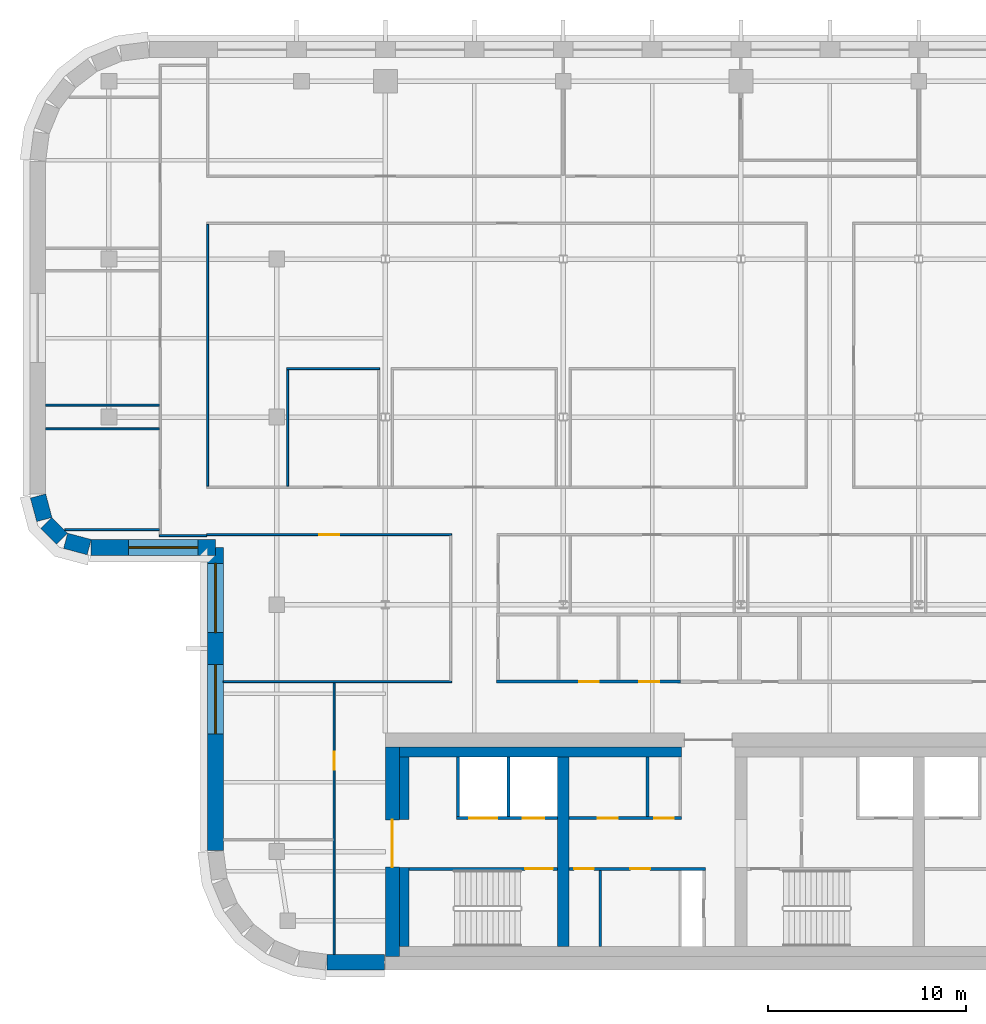
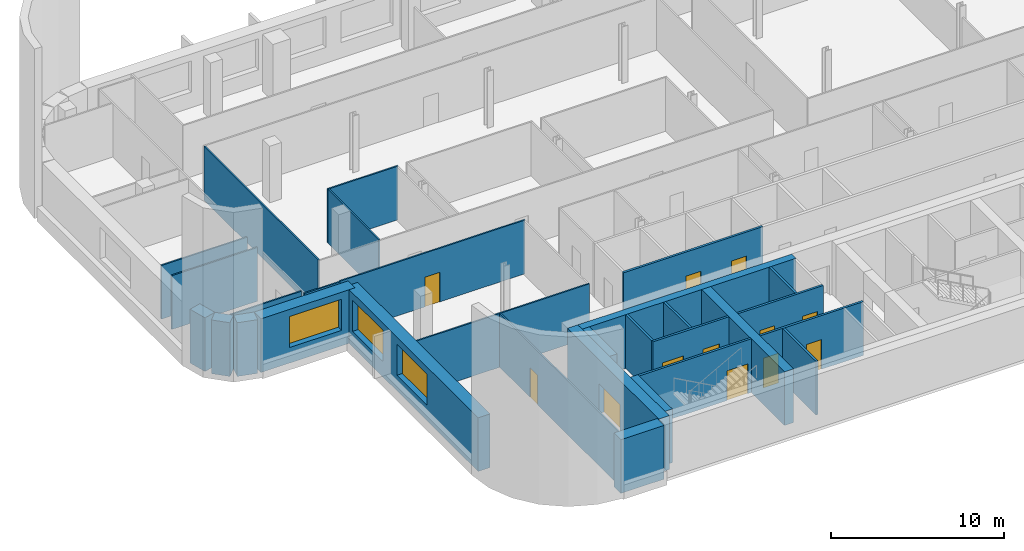
# One storey, part 7 of 17: 30 walls, 12 doors, 3 windows, 15 openings.
"""IFC4 building model written with IfcOpenShell, lengths in metres."""

import ifcopenshell
import ifcopenshell.guid

model = None  # the IFC model being written
_history = None  # IfcOwnerHistory: only IFC2X3 demands one
_inside = {}  # id of a spatial element -> (the spatial element, [elements in it])
_under = {}  # id of a project, library or spatial element -> (it, [spatial elements below it])
_declared = {}  # id of a project -> (the project, [libraries it declares])
_typed = {}  # id of a type object -> (the type object, [elements of that type])
_made_of = {}  # id of a material, layer set ... -> (it, [elements and type objects made of it])


def new_model(schema):
    """Start an empty IFC model of exactly this schema.

    Asked for "IFC4X3", IfcOpenShell would pick the latest addendum, in which some entities
    have other attributes; the version numbers below select the first issue.
    IFC2X3 requires an IfcOwnerHistory on every rooted entity: one is made here for all.
    """
    global model, _history
    if schema == "IFC4X3":
        model = ifcopenshell.file(schema_version=(4, 3, 0, 0))
    else:
        model = ifcopenshell.file(schema=schema)
    _inside.clear()
    _under.clear()
    _declared.clear()
    _typed.clear()
    _made_of.clear()
    _history = None
    if model.schema == "IFC2X3":
        org = make("IfcOrganization", Name="unknown")
        user = make(
            "IfcPersonAndOrganization",
            ThePerson=make("IfcPerson", FamilyName="unknown"),
            TheOrganization=org,
        )
        app = make(
            "IfcApplication",
            ApplicationDeveloper=org,
            Version="unknown",
            ApplicationFullName="unknown",
            ApplicationIdentifier="unknown",
        )
        _history = make(
            "IfcOwnerHistory",
            OwningUser=user,
            OwningApplication=app,
            ChangeAction="ADDED",
            CreationDate=0,
        )
    return model


def make(cls, **values):
    """One entity of the class cls with the attributes given. An attribute that is None is left unset."""
    return model.create_entity(
        cls, **{name: value for name, value in values.items() if value is not None}
    )


def rooted(cls, **values):
    """An entity with a GlobalId (a new one), such as an element, a storey or a relation."""
    return make(cls, GlobalId=ifcopenshell.guid.new(), OwnerHistory=_history, **values)


def si_unit(unit_type, name, prefix=None):
    """IfcSIUnit, for example si_unit("LENGTHUNIT", "METRE", prefix="MILLI")."""
    return make("IfcSIUnit", UnitType=unit_type, Prefix=prefix, Name=name)


def assignment(units):
    """IfcUnitAssignment: the units of a project."""
    return None if units is None else make("IfcUnitAssignment", Units=units)


def point(xyz):
    """IfcCartesianPoint."""
    return None if xyz is None else make("IfcCartesianPoint", Coordinates=xyz)


def direction(xyz):
    """IfcDirection."""
    return None if xyz is None else make("IfcDirection", DirectionRatios=xyz)


def frame(location, z_axis=None, x_axis=None):
    """IfcAxis2Placement3D, a coordinate frame: its origin and axes. An axis left out is left unset."""
    return make(
        "IfcAxis2Placement3D",
        Location=point(location),
        Axis=direction(z_axis),
        RefDirection=direction(x_axis),
    )


def frame_2d(location, x_axis=None):
    """IfcAxis2Placement2D, a coordinate frame in the plane: its origin and x axis."""
    return make(
        "IfcAxis2Placement2D", Location=point(location), RefDirection=direction(x_axis)
    )


def origin():
    """The frame at (0, 0, 0) with its axes left unset."""
    return frame((0.0, 0.0, 0.0))


def place(relative_to, where):
    """IfcLocalPlacement: puts the frame where relative to a parent placement (None: the world)."""
    return make(
        "IfcLocalPlacement", PlacementRelTo=relative_to, RelativePlacement=where
    )


def context(
    kind, dimensions, precision=None, world=None, true_north=None, identifier=None
):
    """IfcGeometricRepresentationContext, for example the 3D "Model" context."""
    return make(
        "IfcGeometricRepresentationContext",
        ContextIdentifier=identifier,
        ContextType=kind,
        CoordinateSpaceDimension=dimensions,
        Precision=precision,
        WorldCoordinateSystem=world,
        TrueNorth=true_north,
    )


def subcontext(parent, identifier, kind, view, scale=None):
    """IfcGeometricRepresentationSubContext, for example "Body" below "Model"."""
    return make(
        "IfcGeometricRepresentationSubContext",
        ContextIdentifier=identifier,
        ContextType=kind,
        ParentContext=parent,
        TargetScale=scale,
        TargetView=view,
    )


def project(units=None, contexts=None):
    """IfcProject with its units and contexts."""
    return rooted(
        "IfcProject",
        Name="project",
        RepresentationContexts=contexts,
        UnitsInContext=assignment(units),
    )


def spatial(cls, under=None, at=None, **own):
    """A site, building, storey or space (cls), placed at a placement, below another one or the project."""
    s = rooted(cls, ObjectPlacement=at, **own)
    if under is not None:
        _under.setdefault(under.id(), (under, []))[1].append(s)
    return s


def profile(cls, at=None, kind="AREA", **sizes):
    """A parametric profile (cls). Its sizes go by their IFC names, for example OverallWidth=200.0."""
    return make(cls, ProfileType=kind, Position=at, **sizes)


def rectangle(**sizes):
    """IfcRectangleProfileDef."""
    return profile("IfcRectangleProfileDef", **sizes)


def extrude(swept, where, along, depth):
    """IfcExtrudedAreaSolid: the profile swept, set in the frame where, extruded along a direction by depth."""
    return make(
        "IfcExtrudedAreaSolid",
        SweptArea=swept,
        Position=where,
        ExtrudedDirection=direction(along),
        Depth=depth,
    )


def shape(context_of_items, identifier, shape_type, items):
    """IfcShapeRepresentation: the items that make up one representation, for example the "Body"."""
    return make(
        "IfcShapeRepresentation",
        ContextOfItems=context_of_items,
        RepresentationIdentifier=identifier,
        RepresentationType=shape_type,
        Items=items,
    )


def material(Name=None, Category=None):
    """IfcMaterial."""
    return make("IfcMaterial", Name=Name, Category=Category)


def layer(
    of_material, thickness, ventilated=None, Name=None, Category=None, Priority=None
):
    """IfcMaterialLayer: one layer of a wall or slab, of a material (None: an air gap)."""
    return make(
        "IfcMaterialLayer",
        Material=of_material,
        LayerThickness=thickness,
        IsVentilated=ventilated,
        Name=Name,
        Category=Category,
        Priority=Priority,
    )


def layer_set(layers, Name=None):
    """IfcMaterialLayerSet."""
    return make("IfcMaterialLayerSet", MaterialLayers=layers, LayerSetName=Name)


def made_of(thing, what):
    """Note that an element or type object is made of a material, layer set ...; save() writes the relation."""
    if what is not None:
        _made_of.setdefault(what.id(), (what, []))[1].append(thing)
    return thing


def type_object(cls, material=None, **own):
    """A type object (cls), such as IfcWallType, which elements share."""
    return made_of(rooted(cls, **own), material)


def element(
    cls,
    number,
    at=None,
    inside=None,
    cuts=None,
    type_object=None,
    material=None,
    context=None,
    identifier="Body",
    shape_type=None,
    held_by="IfcProductDefinitionShape",
    body=None,
    shapes=None,
    **own,
):
    """One element of the class cls, such as IfcWall. Its Tag is "e" and its number.

    at: its placement. inside: the storey or other place that contains it. cuts: it is an
    opening in that element (IfcRelVoidsElement). A single representation is given by context,
    identifier, shape_type and body (its items); several are given by shapes. held_by: the class
    of the entity that holds the representations. save() writes the other relations.
    """
    e = rooted(cls, Tag="e%d" % number, ObjectPlacement=at, **own)
    if body is not None:
        shapes = [shape(context, identifier, shape_type, body)]
    if shapes is not None:
        e.Representation = make(held_by, Representations=shapes)
    if inside is not None:
        _inside.setdefault(inside.id(), (inside, []))[1].append(e)
    if cuts is not None:
        rooted(
            "IfcRelVoidsElement", RelatingBuildingElement=cuts, RelatedOpeningElement=e
        )
    if type_object is not None:
        _typed.setdefault(type_object.id(), (type_object, []))[1].append(e)
    return made_of(e, material)


def fill(opening, filler):
    """IfcRelFillsElement: the door or window that sits in an opening."""
    return rooted(
        "IfcRelFillsElement",
        RelatingOpeningElement=opening,
        RelatedBuildingElement=filler,
    )


def aggregate(whole, parts):
    """IfcRelAggregates: a whole, such as a stair, and the parts it consists of."""
    return rooted("IfcRelAggregates", RelatingObject=whole, RelatedObjects=parts)


def save(model, path):
    """Write the relations noted so far, then the file.

    IfcRelAggregates (storeys below a building ...), IfcRelContainedInSpatialStructure (elements
    in a storey), IfcRelDefinesByType, IfcRelAssociatesMaterial and IfcRelDeclares: one each for
    every whole, place, type object, material and project.
    """
    for whole, parts in _under.values():
        aggregate(whole, parts)
    for where, things in _inside.values():
        rooted(
            "IfcRelContainedInSpatialStructure",
            RelatedElements=things,
            RelatingStructure=where,
        )
    for kind, things in _typed.values():
        rooted("IfcRelDefinesByType", RelatedObjects=things, RelatingType=kind)
    for what, things in _made_of.values():
        rooted("IfcRelAssociatesMaterial", RelatedObjects=things, RelatingMaterial=what)
    for by, libraries in _declared.values():
        rooted("IfcRelDeclares", RelatingContext=by, RelatedDefinitions=libraries)
    model.write(path)


model = new_model("IFC4")

# Units and contexts
model_context = context("Model", 3, precision=1e-05, world=origin(), true_north=direction((0.0, 1.0)))
body_context = subcontext(model_context, "Body", "Model", "MODEL_VIEW")
ifc_project = project(units=[si_unit("LENGTHUNIT", "METRE"), si_unit("AREAUNIT", "SQUARE_METRE"), si_unit("VOLUMEUNIT", "CUBIC_METRE"), si_unit("PLANEANGLEUNIT", "RADIAN"), si_unit("MASSUNIT", "GRAM", prefix="KILO")], contexts=[model_context])

# Site, building, storey
site_placement = place(None, origin())
site = spatial("IfcSite", under=ifc_project, at=site_placement, CompositionType="ELEMENT")
building_placement = place(site_placement, origin())
building = spatial("IfcBuilding", under=site, at=building_placement, Name="Zellij Exchange Tower", CompositionType="ELEMENT")
storey_placement = place(building_placement, frame((0.0, 0.0, 232.5)))
storey = spatial("IfcBuildingStorey", under=building, at=storey_placement, Name="L54", CompositionType="ELEMENT", Elevation=232.5)

# Walls
ifc_material_1 = material(Name="Concrete C50/60", Category="concrete")
ifc_layer_1 = layer(ifc_material_1, 0.60009765625)
ifc_layer_set_1 = layer_set([ifc_layer_1], Name="Concrete C50/60")
wall_type_1 = type_object("IfcWallType", Name="CORE-CW 600 C50/60", PredefinedType="SHEAR", material=ifc_layer_set_1)
wall_1_placement = place(storey_placement, frame((-18.0, -12.800048828125, 0.0), z_axis=(0.0, 0.0, 1.0), x_axis=(0.0, 1.0, 0.0)))
element("IfcWall", 1, at=wall_1_placement, inside=storey, type_object=wall_type_1, Name="Core cross wall x -18 L54", PredefinedType="SHEAR", context=body_context, shape_type="SweptSolid", body=[
    extrude(rectangle(XDim=9.60009765625, YDim=0.60009765625, at=frame_2d((4.800048828125, 0.0))), origin(), (0.0, 0.0, 1.0), 3.800048828125),
])
ifc_material_2 = material(Name="Concrete C30/37", Category="concrete")
ifc_layer_2 = layer(ifc_material_2, 0.5)
ifc_layer_set_2 = layer_set([ifc_layer_2], Name="Concrete C30/37")
wall_type_2 = type_object("IfcWallType", Name="CORE-LW 500 C30/37", PredefinedType="SHEAR", material=ifc_layer_set_2)
wall_2_placement = place(storey_placement, frame((-26.300048828125, -2.949951171875, 0.0), z_axis=(0.0, 0.0, 1.0), x_axis=(1.0, 0.0, 0.0)))
element("IfcWall", 2, at=wall_2_placement, inside=storey, type_object=wall_type_2, Name="Core wall lining front.0 L54", PredefinedType="SHEAR", context=body_context, shape_type="SweptSolid", body=[
    extrude(rectangle(XDim=14.300048828125, YDim=0.5, at=frame_2d((7.14990234375, 0.0))), origin(), (0.0, 0.0, 1.0), 3.800048828125),
])
wall_3_placement = place(storey_placement, frame((-26.050048828125, -12.800048828125, 0.0), z_axis=(0.0, 0.0, 1.0), x_axis=(0.0, 1.0, 0.0)))
element("IfcWall", 3, at=wall_3_placement, inside=storey, type_object=wall_type_2, Name="Core wall lining end w.0 L54", PredefinedType="SHEAR", context=body_context, shape_type="SweptSolid", body=[
    extrude(rectangle(XDim=4.0, YDim=0.5, at=frame_2d((2.0, 0.0))), origin(), (0.0, 0.0, 1.0), 3.800048828125),
])
wall_4_placement = place(storey_placement, frame((-26.050048828125, -6.375, 0.0), z_axis=(0.0, 0.0, 1.0), x_axis=(0.0, 1.0, 0.0)))
element("IfcWall", 4, at=wall_4_placement, inside=storey, type_object=wall_type_2, Name="Core wall lining end w.1 L54", PredefinedType="SHEAR", context=body_context, shape_type="SweptSolid", body=[
    extrude(rectangle(XDim=3.175048828125, YDim=0.5, at=frame_2d((1.58740234375, 0.0))), origin(), (0.0, 0.0, 1.0), 3.800048828125),
])
ifc_material_3 = material(Name="Gypsum board partition")
ifc_layer_3 = layer(ifc_material_3, 0.14990234375)
ifc_layer_set_3 = layer_set([ifc_layer_3], Name="Gypsum board partition")
wall_type_3 = type_object("IfcWallType", Name="CORE-PW 150 Lift lobby wall", PredefinedType="PARTITIONING", material=ifc_layer_set_3)
wall_5_placement = place(storey_placement, frame((-13.72509765625, -6.22509765625, 0.0), z_axis=(0.0, 0.0, 1.0), x_axis=(0.0, 1.0, 0.0)))
element("IfcWall", 5, at=wall_5_placement, inside=storey, type_object=wall_type_3, Name="Lift lobby wall L54", PredefinedType="PARTITIONING", context=body_context, shape_type="SweptSolid", body=[
    extrude(rectangle(XDim=3.025146484375, YDim=0.14990234375, at=frame_2d((1.5126953125, 0.0))), origin(), (0.0, 0.0, 1.0), 3.800048828125),
])
wall_6_placement = place(storey_placement, frame((-16.125, -12.800048828125, 0.0), z_axis=(0.0, 0.0, 1.0), x_axis=(0.0, 1.0, 0.0)))
element("IfcWall", 6, at=wall_6_placement, inside=storey, type_object=wall_type_3, Name="Lift lobby wall L54", PredefinedType="PARTITIONING", context=body_context, shape_type="SweptSolid", body=[
    extrude(rectangle(XDim=3.85009765625, YDim=0.14990234375, at=frame_2d((1.925048828125, 0.0))), origin(), (0.0, 0.0, 1.0), 3.800048828125),
])

# Wall, openings, doors
wall_7_placement = place(storey_placement, frame((-17.699951171875, -6.300048828125, 0.0), z_axis=(0.0, 0.0, 1.0), x_axis=(1.0, 0.0, 0.0)))
wall_7 = element("IfcWall", 7, at=wall_7_placement, inside=storey, type_object=wall_type_3, Name="Lift lobby wall L54", PredefinedType="PARTITIONING", context=body_context, shape_type="SweptSolid", body=[
    extrude(rectangle(XDim=5.699951171875, YDim=0.14990234375, at=frame_2d((2.85009765625, 0.0))), origin(), (0.0, 0.0, 1.0), 3.800048828125),
])
opening_1_placement = place(wall_7_placement, frame((1.449951171875, 0.0, 0.0)))
opening_1 = element("IfcOpeningElement", 8, at=opening_1_placement, cuts=wall_7, Name="Opening CA-29.06", PredefinedType="OPENING", context=body_context, shape_type="SweptSolid", body=[
    extrude(rectangle(XDim=1.0, YDim=2.10009765625, at=frame_2d((0.5, 1.050048828125))), frame((0.0, 0.0869140625, 0.0), z_axis=(0.0, -1.0, 0.0), x_axis=(1.0, 0.0, 0.0)), (0.0, 0.0, 1.0), 0.173828125),
])
opening_2_placement = place(wall_7_placement, frame((4.300048828125, 0.0, 0.0)))
opening_2 = element("IfcOpeningElement", 9, at=opening_2_placement, cuts=wall_7, Name="Opening CA-29.08", PredefinedType="OPENING", context=body_context, shape_type="SweptSolid", body=[
    extrude(rectangle(XDim=1.0, YDim=2.10009765625, at=frame_2d((0.5, 1.050048828125))), frame((0.0, 0.0869140625, 0.0), z_axis=(0.0, -1.0, 0.0), x_axis=(1.0, 0.0, 0.0)), (0.0, 0.0, 1.0), 0.173828125),
])
ifc_material_4 = material(Name="Hollow metal fire door")
door_type_1 = type_object("IfcDoorType", Name="CORE-D CD Core room door 1000x2100 1 HR", OperationType="NOTDEFINED", PredefinedType="DOOR", material=ifc_material_4)
door_1_placement = place(opening_1_placement, origin())
door_1 = element("IfcDoor", 10, at=door_1_placement, inside=storey, type_object=door_type_1, Name="Core room door CA-29.06", OperationType="SINGLE_SWING_LEFT", OverallHeight=2.10009765625, OverallWidth=1.0, PredefinedType="DOOR", context=body_context, shape_type="SweptSolid", body=[
    extrude(rectangle(XDim=1.0, YDim=2.10009765625, at=frame_2d((0.5, 1.050048828125))), frame((0.0, 0.02490234375, 0.0), z_axis=(0.0, -1.0, 0.0), x_axis=(1.0, 0.0, 0.0)), (0.0, 0.0, 1.0), 0.050048828125),
])
fill(opening_1, door_1)
door_2_placement = place(opening_2_placement, origin())
door_2 = element("IfcDoor", 11, at=door_2_placement, inside=storey, type_object=door_type_1, Name="Core room door CA-29.08", OperationType="SINGLE_SWING_RIGHT", OverallHeight=2.10009765625, OverallWidth=1.0, PredefinedType="DOOR", context=body_context, shape_type="SweptSolid", body=[
    extrude(rectangle(XDim=1.0, YDim=2.10009765625, at=frame_2d((0.5, 1.050048828125))), frame((0.0, 0.02490234375, 0.0), z_axis=(0.0, -1.0, 0.0), x_axis=(1.0, 0.0, 0.0)), (0.0, 0.0, 1.0), 0.050048828125),
])
fill(opening_2, door_2)

wall_8_placement = place(storey_placement, frame((-17.699951171875, -8.875, 0.0), z_axis=(0.0, 0.0, 1.0), x_axis=(1.0, 0.0, 0.0)))
wall_8 = element("IfcWall", 12, at=wall_8_placement, inside=storey, type_object=wall_type_3, Name="Lift lobby wall L54", PredefinedType="PARTITIONING", context=body_context, shape_type="SweptSolid", body=[
    extrude(rectangle(XDim=6.89990234375, YDim=0.14990234375, at=frame_2d((3.449951171875, 0.0))), origin(), (0.0, 0.0, 1.0), 3.800048828125),
])
opening_3_placement = place(wall_8_placement, frame((0.25, 0.0, 0.0)))
opening_3 = element("IfcOpeningElement", 13, at=opening_3_placement, cuts=wall_8, Name="Opening CA-29.05", PredefinedType="OPENING", context=body_context, shape_type="SweptSolid", body=[
    extrude(rectangle(XDim=1.0, YDim=2.10009765625, at=frame_2d((0.5, 1.050048828125))), frame((0.0, 0.0869140625, 0.0), z_axis=(0.0, -1.0, 0.0), x_axis=(1.0, 0.0, 0.0)), (0.0, 0.0, 1.0), 0.173828125),
])
opening_4_placement = place(wall_8_placement, frame((3.10009765625, 0.0, 0.0)))
opening_4 = element("IfcOpeningElement", 14, at=opening_4_placement, cuts=wall_8, Name="Opening CA-29.07", PredefinedType="OPENING", context=body_context, shape_type="SweptSolid", body=[
    extrude(rectangle(XDim=1.0, YDim=2.10009765625, at=frame_2d((0.5, 1.050048828125))), frame((0.0, 0.0869140625, 0.0), z_axis=(0.0, -1.0, 0.0), x_axis=(1.0, 0.0, 0.0)), (0.0, 0.0, 1.0), 0.173828125),
])
door_3_placement = place(opening_4_placement, origin())
door_3 = element("IfcDoor", 15, at=door_3_placement, inside=storey, type_object=door_type_1, Name="Core room door CA-29.07", OperationType="SINGLE_SWING_LEFT", OverallHeight=2.10009765625, OverallWidth=1.0, PredefinedType="DOOR", context=body_context, shape_type="SweptSolid", body=[
    extrude(rectangle(XDim=1.0, YDim=2.10009765625, at=frame_2d((0.5, 1.050048828125))), frame((0.0, 0.02490234375, 0.0), z_axis=(0.0, -1.0, 0.0), x_axis=(1.0, 0.0, 0.0)), (0.0, 0.0, 1.0), 0.050048828125),
])
fill(opening_4, door_3)
door_type_2 = type_object("IfcDoorType", Name="CORE-D CDA Core room door 1000x2100 1.5 HR", OperationType="NOTDEFINED", PredefinedType="DOOR", material=ifc_material_4)
door_4_placement = place(opening_3_placement, origin())
door_4 = element("IfcDoor", 16, at=door_4_placement, inside=storey, type_object=door_type_2, Name="Core room door CA-29.05", OperationType="SINGLE_SWING_RIGHT", OverallHeight=2.10009765625, OverallWidth=1.0, PredefinedType="DOOR", context=body_context, shape_type="SweptSolid", body=[
    extrude(rectangle(XDim=1.0, YDim=2.10009765625, at=frame_2d((0.5, 1.050048828125))), frame((0.0, 0.02490234375, 0.0), z_axis=(0.0, -1.0, 0.0), x_axis=(1.0, 0.0, 0.0)), (0.0, 0.0, 1.0), 0.050048828125),
])
fill(opening_3, door_4)

# Walls
ifc_material_5 = material(Name="Gypsum shaft wall system")
ifc_layer_4 = layer(ifc_material_5, 0.14990234375)
ifc_layer_set_4 = layer_set([ifc_layer_4], Name="Gypsum shaft wall system")
wall_type_4 = type_object("IfcWallType", Name="CORE-PW 150 Lift shaft wall", PredefinedType="PARTITIONING", material=ifc_layer_set_4)
for number, where, z_axis, x_axis, name in (
    (17, (-20.77490234375, -6.22509765625, 0.0), (0.0, 0.0, 1.0), (0.0, 1.0, 0.0), "Lift shaft wall L54"),
    (18, (-23.324951171875, -6.22509765625, 0.0), (0.0, 0.0, 1.0), (0.0, 1.0, 0.0), "Lift shaft wall L54"),
):
    element("IfcWall", number, at=place(storey_placement, frame(where, z_axis=z_axis, x_axis=x_axis)), inside=storey, type_object=wall_type_4, Name=name, PredefinedType="PARTITIONING", context=body_context, shape_type="SweptSolid", body=[
        extrude(rectangle(XDim=3.025146484375, YDim=0.14990234375, at=frame_2d((1.5126953125, 0.0))), origin(), (0.0, 0.0, 1.0), 3.800048828125),
    ])

# Wall, openings, doors
wall_9_placement = place(storey_placement, frame((-23.39990234375, -6.300048828125, 0.0), z_axis=(0.0, 0.0, 1.0), x_axis=(1.0, 0.0, 0.0)))
wall_9 = element("IfcWall", 19, at=wall_9_placement, inside=storey, type_object=wall_type_4, Name="Lift shaft wall L54", PredefinedType="PARTITIONING", context=body_context, shape_type="SweptSolid", body=[
    extrude(rectangle(XDim=5.099853515625, YDim=0.14990234375, at=frame_2d((2.5498046875, 0.0))), origin(), (0.0, 0.0, 1.0), 3.800048828125),
])
opening_5_placement = place(wall_9_placement, frame((0.64990234375, 0.0, 0.0)))
opening_5 = element("IfcOpeningElement", 20, at=opening_5_placement, cuts=wall_9, Name="Opening CA-29.02", PredefinedType="OPENING", context=body_context, shape_type="SweptSolid", body=[
    extrude(rectangle(XDim=1.39990234375, YDim=2.10009765625, at=frame_2d((0.699951171875, 1.050048828125))), frame((0.0, 0.0869140625, 0.0), z_axis=(0.0, -1.0, 0.0), x_axis=(1.0, 0.0, 0.0)), (0.0, 0.0, 1.0), 0.173828125),
])
opening_6_placement = place(wall_9_placement, frame((3.35009765625, 0.0, 0.0)))
opening_6 = element("IfcOpeningElement", 21, at=opening_6_placement, cuts=wall_9, Name="Opening CA-29.03", PredefinedType="OPENING", context=body_context, shape_type="SweptSolid", body=[
    extrude(rectangle(XDim=1.10009765625, YDim=2.10009765625, at=frame_2d((0.550048828125, 1.050048828125))), frame((0.0, 0.0869140625, 0.0), z_axis=(0.0, -1.0, 0.0), x_axis=(1.0, 0.0, 0.0)), (0.0, 0.0, 1.0), 0.173828125),
])
door_type_3 = type_object("IfcDoorType", Name="CORE-D LD Lift landing door 1100x2100 1.5 HR", OperationType="NOTDEFINED", PredefinedType="DOOR", material=ifc_material_4)
door_5_placement = place(opening_6_placement, origin())
door_5 = element("IfcDoor", 22, at=door_5_placement, inside=storey, type_object=door_type_3, Name="Lift landing door CA-29.03", OperationType="SLIDING_TO_LEFT", OverallHeight=2.10009765625, OverallWidth=1.10009765625, PredefinedType="DOOR", context=body_context, shape_type="SweptSolid", body=[
    extrude(rectangle(XDim=1.10009765625, YDim=2.10009765625, at=frame_2d((0.550048828125, 1.050048828125))), frame((0.0, 0.02490234375, 0.0), z_axis=(0.0, -1.0, 0.0), x_axis=(1.0, 0.0, 0.0)), (0.0, 0.0, 1.0), 0.050048828125),
])
fill(opening_6, door_5)
door_type_4 = type_object("IfcDoorType", Name="CORE-D LD2 Service lift landing door 1400x2100 1.5 HR", OperationType="NOTDEFINED", PredefinedType="DOOR", material=ifc_material_4)
door_6_placement = place(opening_5_placement, origin())
door_6 = element("IfcDoor", 23, at=door_6_placement, inside=storey, type_object=door_type_4, Name="Service lift landing door CA-29.02", OperationType="SLIDING_TO_RIGHT", OverallHeight=2.10009765625, OverallWidth=1.39990234375, PredefinedType="DOOR", context=body_context, shape_type="SweptSolid", body=[
    extrude(rectangle(XDim=1.39990234375, YDim=2.10009765625, at=frame_2d((0.699951171875, 1.050048828125))), frame((0.0, 0.02490234375, 0.0), z_axis=(0.0, -1.0, 0.0), x_axis=(1.0, 0.0, 0.0)), (0.0, 0.0, 1.0), 0.050048828125),
])
fill(opening_5, door_6)

# Wall, opening, door
ifc_layer_5 = layer(ifc_material_1, 0.699951171875)
ifc_layer_set_5 = layer_set([ifc_layer_5], Name="Concrete C50/60")
wall_type_5 = type_object("IfcWallType", Name="CORE-SW 700 C50/60", PredefinedType="SHEAR", material=ifc_layer_set_5)
wall_10_placement = place(storey_placement, frame((-26.64990234375, -13.300048828125, 0.0), z_axis=(0.0, 0.0, 1.0), x_axis=(0.0, 1.0, 0.0)))
wall_10 = element("IfcWall", 24, at=wall_10_placement, inside=storey, type_object=wall_type_5, Name="Core shear wall end w L54", PredefinedType="SHEAR", context=body_context, shape_type="SweptSolid", body=[
    extrude(rectangle(XDim=10.60009765625, YDim=0.699951171875, at=frame_2d((5.300048828125, 0.0))), origin(), (0.0, 0.0, 1.0), 3.800048828125),
])
opening_7_placement = place(wall_10_placement, frame((4.511962890625, 0.0, 0.0)))
opening_7 = element("IfcOpeningElement", 25, at=opening_7_placement, cuts=wall_10, Name="Opening CA-29.01", PredefinedType="OPENING", context=body_context, shape_type="SweptSolid", body=[
    extrude(rectangle(XDim=2.39990234375, YDim=2.10009765625, at=frame_2d((1.199951171875, 1.050048828125))), frame((0.0, 0.36181640625, 0.0), z_axis=(0.0, -1.0, 0.0), x_axis=(1.0, 0.0, 0.0)), (0.0, 0.0, 1.0), 0.723876953125),
])
door_type_5 = type_object("IfcDoorType", Name="CORE-D CE Core entrance door 2400x2100 20 MIN", OperationType="NOTDEFINED", PredefinedType="DOOR", material=ifc_material_4)
door_7_placement = place(opening_7_placement, origin())
door_7 = element("IfcDoor", 26, at=door_7_placement, inside=storey, type_object=door_type_5, Name="Core entrance door CA-29.01", OperationType="DOUBLE_DOOR_SINGLE_SWING", OverallHeight=2.10009765625, OverallWidth=2.39990234375, PredefinedType="DOOR", context=body_context, shape_type="SweptSolid", body=[
    extrude(rectangle(XDim=2.39990234375, YDim=2.10009765625, at=frame_2d((1.199951171875, 1.050048828125))), frame((0.0, 0.02490234375, 0.0), z_axis=(0.0, -1.0, 0.0), x_axis=(1.0, 0.0, 0.0)), (0.0, 0.0, 1.0), 0.050048828125),
])
fill(opening_7, door_7)

ifc_layer_6 = layer(ifc_material_1, 0.14990234375)
ifc_layer_set_6 = layer_set([ifc_layer_6], Name="Concrete C50/60")
wall_type_6 = type_object("IfcWallType", Name="CORE-SWS 150 C50/60", PredefinedType="SHEAR", material=ifc_layer_set_6)
wall_11_placement = place(storey_placement, frame((-25.800048828125, -8.875, 0.0), z_axis=(0.0, 0.0, 1.0), x_axis=(1.0, 0.0, 0.0)))
wall_11 = element("IfcWall", 27, at=wall_11_placement, inside=storey, type_object=wall_type_6, Name="Stair enclosure wall L54", PredefinedType="SHEAR", context=body_context, shape_type="SweptSolid", body=[
    extrude(rectangle(XDim=7.5, YDim=0.14990234375, at=frame_2d((3.75, 0.0))), origin(), (0.0, 0.0, 1.0), 3.800048828125),
])
opening_8_placement = place(wall_11_placement, frame((5.875, 0.0, 0.0)))
opening_8 = element("IfcOpeningElement", 28, at=opening_8_placement, cuts=wall_11, Name="Opening CA-29.04", PredefinedType="OPENING", context=body_context, shape_type="SweptSolid", body=[
    extrude(rectangle(XDim=1.39990234375, YDim=2.10009765625, at=frame_2d((0.699951171875, 1.050048828125))), frame((0.0, 0.0869140625, 0.0), z_axis=(0.0, -1.0, 0.0), x_axis=(1.0, 0.0, 0.0)), (0.0, 0.0, 1.0), 0.173828125),
])
door_type_6 = type_object("IfcDoorType", Name="CORE-D SD Stair door 1400x2100 1.5 HR", OperationType="NOTDEFINED", PredefinedType="DOOR", material=ifc_material_4)
door_8_placement = place(opening_8_placement, origin())
door_8 = element("IfcDoor", 29, at=door_8_placement, inside=storey, type_object=door_type_6, Name="Stair door CA-29.04", OperationType="DOUBLE_DOOR_SINGLE_SWING", OverallHeight=2.10009765625, OverallWidth=1.39990234375, PredefinedType="DOOR", context=body_context, shape_type="SweptSolid", body=[
    extrude(rectangle(XDim=1.39990234375, YDim=2.10009765625, at=frame_2d((0.699951171875, 1.050048828125))), frame((0.0, 0.02490234375, 0.0), z_axis=(0.0, -1.0, 0.0), x_axis=(1.0, 0.0, 0.0)), (0.0, 0.0, 1.0), 0.050048828125),
])
fill(opening_8, door_8)

# Walls
ifc_material_6 = material(Name="Precast concrete C40/50", Category="concrete")
ifc_layer_7 = layer(ifc_material_6, 0.800048828125)
ifc_layer_set_7 = layer_set([ifc_layer_7], Name="Precast concrete C40/50")
wall_type_7 = type_object("IfcWallType", Name="ENV-EW1 Precast stone-piered wall 800", PredefinedType="SOLIDWALL", material=ifc_layer_set_7)
wall_12_placement = place(storey_placement, frame((-29.947509765625, -13.60009765625, 0.0), z_axis=(0.0, 0.0, 1.0), x_axis=(1.0, 0.0, 0.0)))
element("IfcWall", 30, at=wall_12_placement, inside=storey, type_object=wall_type_7, Name="fac.L54.00a", PredefinedType="SOLIDWALL", context=body_context, shape_type="SweptSolid", body=[
    extrude(rectangle(XDim=2.8974609375, YDim=0.800048828125, at=frame_2d((1.44873046875, 0.0))), origin(), (0.0, 0.0, 1.0), 3.800048828125),
])
wall_13_placement = place(storey_placement, frame((-44.58642578125, 10.001708984375, 0.0), z_axis=(0.0, 0.0, 1.0), x_axis=(0.258943885187, -0.965892366842, 0.0)))
element("IfcWall", 31, at=wall_13_placement, inside=storey, type_object=wall_type_7, Name="fac.L54.22", PredefinedType="SOLIDWALL", context=body_context, shape_type="SweptSolid", body=[
    extrude(rectangle(XDim=1.233154296875, YDim=0.800048828125, at=frame_2d((0.61669921875, 0.0))), origin(), (0.0, 0.0, 1.0), 3.800048828125),
])
wall_14_placement = place(storey_placement, frame((-44.163818359375, 8.63134765625, 0.0), z_axis=(0.0, 0.0, 1.0), x_axis=(0.707106781187, -0.707106781187, 0.0)))
element("IfcWall", 32, at=wall_14_placement, inside=storey, type_object=wall_type_7, Name="fac.L54.23", PredefinedType="SOLIDWALL", context=body_context, shape_type="SweptSolid", body=[
    extrude(rectangle(XDim=1.12451171875, YDim=0.800048828125, at=frame_2d((0.562255859375, 0.0))), origin(), (0.0, 0.0, 1.0), 3.800048828125),
])
wall_15_placement = place(storey_placement, frame((-43.189453125, 7.73291015625, 0.0), z_axis=(0.0, 0.0, 1.0), x_axis=(0.965892366842, -0.258943885187, 0.0)))
element("IfcWall", 33, at=wall_15_placement, inside=storey, type_object=wall_type_7, Name="fac.L54.24", PredefinedType="SOLIDWALL", context=body_context, shape_type="SweptSolid", body=[
    extrude(rectangle(XDim=1.233154296875, YDim=0.800048828125, at=frame_2d((0.61669921875, 0.0))), origin(), (0.0, 0.0, 1.0), 3.800048828125),
])

# Wall, opening, window
wall_16_placement = place(storey_placement, frame((-41.89453125, 7.39990234375, 0.0), z_axis=(0.0, 0.0, 1.0), x_axis=(1.0, 0.0, 0.0)))
wall_16 = element("IfcWall", 34, at=wall_16_placement, inside=storey, type_object=wall_type_7, Name="fac.L54.25", PredefinedType="SOLIDWALL", context=body_context, shape_type="SweptSolid", body=[
    extrude(rectangle(XDim=6.29443359375, YDim=0.800048828125, at=frame_2d((3.147216796875, 0.0))), origin(), (0.0, 0.0, 1.0), 3.800048828125),
])
opening_9_placement = place(wall_16_placement, frame((1.89453125, 0.0, 1.10009765625)))
opening_9 = element("IfcOpeningElement", 35, at=opening_9_placement, cuts=wall_16, Name="Opening FZ4.21", PredefinedType="OPENING", context=body_context, shape_type="SweptSolid", body=[
    extrude(rectangle(XDim=3.5, YDim=2.199951171875, at=frame_2d((1.75, 1.10009765625))), frame((0.0, 0.412109375, 0.0), z_axis=(0.0, -1.0, 0.0), x_axis=(1.0, 0.0, 0.0)), (0.0, 0.0, 1.0), 0.823974609375),
])
ifc_material_7 = material(Name="Aluminium frame with insulating glass", Category="aluminium")
window_type = type_object("IfcWindowType", Name="ENV-W7 Window 3500x2200", PartitioningType="SINGLE_PANEL", PredefinedType="WINDOW", material=ifc_material_7)
window_1_placement = place(opening_9_placement, origin())
window_1 = element("IfcWindow", 36, at=window_1_placement, inside=storey, type_object=window_type, Name="Window FZ4.21", OverallHeight=2.199951171875, OverallWidth=3.5, PartitioningType="SINGLE_PANEL", PredefinedType="WINDOW", context=body_context, shape_type="SweptSolid", body=[
    extrude(rectangle(XDim=3.5, YDim=2.199951171875, at=frame_2d((1.75, 1.10009765625))), frame((0.0, 0.030029296875, 0.0), z_axis=(0.0, -1.0, 0.0), x_axis=(1.0, 0.0, 0.0)), (0.0, 0.0, 1.0), 0.06005859375),
])
fill(opening_9, window_1)

# Wall, openings, windows
wall_17_placement = place(storey_placement, frame((-35.60009765625, 7.39990234375, 0.0), z_axis=(0.0, 0.0, 1.0), x_axis=(0.0, -1.0, 0.0)))
wall_17 = element("IfcWall", 37, at=wall_17_placement, inside=storey, type_object=wall_type_7, Name="fac.L54.26", PredefinedType="SOLIDWALL", context=body_context, shape_type="SweptSolid", body=[
    extrude(rectangle(XDim=15.347412109375, YDim=0.800048828125, at=frame_2d((7.673828125, 0.0))), origin(), (0.0, 0.0, 1.0), 3.800048828125),
])
opening_10_placement = place(wall_17_placement, frame((0.812255859375, 0.0, 1.10009765625)))
opening_10 = element("IfcOpeningElement", 38, at=opening_10_placement, cuts=wall_17, Name="Opening FZ4.22", PredefinedType="OPENING", context=body_context, shape_type="SweptSolid", body=[
    extrude(rectangle(XDim=3.5, YDim=2.199951171875, at=frame_2d((1.75, 1.10009765625))), frame((0.0, 0.412109375, 0.0), z_axis=(0.0, -1.0, 0.0), x_axis=(1.0, 0.0, 0.0)), (0.0, 0.0, 1.0), 0.823974609375),
])
opening_11_placement = place(wall_17_placement, frame((5.93701171875, 0.0, 1.10009765625)))
opening_11 = element("IfcOpeningElement", 39, at=opening_11_placement, cuts=wall_17, Name="Opening FZ4.23", PredefinedType="OPENING", context=body_context, shape_type="SweptSolid", body=[
    extrude(rectangle(XDim=3.5, YDim=2.199951171875, at=frame_2d((1.75, 1.10009765625))), frame((0.0, 0.412109375, 0.0), z_axis=(0.0, -1.0, 0.0), x_axis=(1.0, 0.0, 0.0)), (0.0, 0.0, 1.0), 0.823974609375),
])
window_2_placement = place(opening_10_placement, origin())
window_2 = element("IfcWindow", 40, at=window_2_placement, inside=storey, type_object=window_type, Name="Window FZ4.22", OverallHeight=2.199951171875, OverallWidth=3.5, PartitioningType="SINGLE_PANEL", PredefinedType="WINDOW", context=body_context, shape_type="SweptSolid", body=[
    extrude(rectangle(XDim=3.5, YDim=2.199951171875, at=frame_2d((1.75, 1.10009765625))), frame((0.0, 0.030029296875, 0.0), z_axis=(0.0, -1.0, 0.0), x_axis=(1.0, 0.0, 0.0)), (0.0, 0.0, 1.0), 0.06005859375),
])
fill(opening_10, window_2)
window_3_placement = place(opening_11_placement, origin())
window_3 = element("IfcWindow", 41, at=window_3_placement, inside=storey, type_object=window_type, Name="Window FZ4.23", OverallHeight=2.199951171875, OverallWidth=3.5, PartitioningType="SINGLE_PANEL", PredefinedType="WINDOW", context=body_context, shape_type="SweptSolid", body=[
    extrude(rectangle(XDim=3.5, YDim=2.199951171875, at=frame_2d((1.75, 1.10009765625))), frame((0.0, 0.030029296875, 0.0), z_axis=(0.0, -1.0, 0.0), x_axis=(1.0, 0.0, 0.0)), (0.0, 0.0, 1.0), 0.06005859375),
])
fill(opening_11, window_3)

# Wall, opening, door
ifc_material_8 = material(Name="Gypsum board partition on steel studs", Category="steel")
ifc_layer_8 = layer(ifc_material_8, 0.10009765625)
ifc_layer_set_8 = layer_set([ifc_layer_8], Name="Gypsum board partition on steel studs")
wall_type_8 = type_object("IfcWallType", Name="FIT-PARTITION-100", PredefinedType="PARTITIONING", material=ifc_layer_set_8)
wall_18_placement = place(storey_placement, frame((-29.60009765625, -13.199951171875, 0.0), z_axis=(0.0, 0.0, 1.0), x_axis=(0.0, 1.0, 0.0)))
wall_18 = element("IfcWall", 42, at=wall_18_placement, inside=storey, type_object=wall_type_8, Name="FIT-PARTITION-100 001", PredefinedType="PARTITIONING", context=body_context, shape_type="SweptSolid", body=[
    extrude(rectangle(XDim=13.75, YDim=0.10009765625, at=frame_2d((6.875, 0.0))), origin(), (0.0, 0.0, 1.0), 3.800048828125),
])
opening_12_placement = place(wall_18_placement, frame((9.35009765625, 0.0, 0.0)))
opening_12 = element("IfcOpeningElement", 43, at=opening_12_placement, cuts=wall_18, Name="Opening O4B.02", PredefinedType="OPENING", context=body_context, shape_type="SweptSolid", body=[
    extrude(rectangle(XDim=0.89990234375, YDim=2.10009765625, at=frame_2d((0.449951171875, 1.050048828125))), frame((0.0, 0.06201171875, 0.0), z_axis=(0.0, -1.0, 0.0), x_axis=(1.0, 0.0, 0.0)), (0.0, 0.0, 1.0), 0.1240234375),
])
ifc_material_9 = material(Name="Timber door set", Category="wood")
door_type_7 = type_object("IfcDoorType", Name="FIT-D1-ROOM-900X2100", OperationType="SINGLE_SWING_LEFT", PredefinedType="DOOR", material=ifc_material_9)
door_9_placement = place(opening_12_placement, origin())
door_9 = element("IfcDoor", 44, at=door_9_placement, inside=storey, type_object=door_type_7, Name="Door O4B.02", OperationType="SINGLE_SWING_RIGHT", OverallHeight=2.10009765625, OverallWidth=0.89990234375, PredefinedType="DOOR", context=body_context, shape_type="SweptSolid", body=[
    extrude(rectangle(XDim=0.89990234375, YDim=2.10009765625, at=frame_2d((0.449951171875, 1.050048828125))), frame((0.0, 0.02490234375, 0.0), z_axis=(0.0, -1.0, 0.0), x_axis=(1.0, 0.0, 0.0)), (0.0, 0.0, 1.0), 0.050048828125),
])
fill(opening_12, door_9)

# Walls
wall_19_placement = place(storey_placement, frame((-35.199951171875, 0.60009765625, 0.0), z_axis=(0.0, 0.0, 1.0), x_axis=(1.0, 0.0, 0.0)))
element("IfcWall", 45, at=wall_19_placement, inside=storey, type_object=wall_type_8, Name="FIT-PARTITION-100 004", PredefinedType="PARTITIONING", context=body_context, shape_type="SweptSolid", body=[
    extrude(rectangle(XDim=11.550048828125, YDim=0.10009765625, at=frame_2d((5.77490234375, 0.0))), origin(), (0.0, 0.0, 1.0), 3.800048828125),
])
wall_20_placement = place(storey_placement, frame((-38.449951171875, 8.0, 0.0), z_axis=(0.0, 0.0, 1.0), x_axis=(1.0, 0.0, 0.0)))
element("IfcWall", 46, at=wall_20_placement, inside=storey, type_object=wall_type_8, Name="FIT-PARTITION-100 033", PredefinedType="PARTITIONING", context=body_context, shape_type="SweptSolid", body=[
    extrude(rectangle(XDim=2.39990234375, YDim=0.10009765625, at=frame_2d((1.199951171875, 0.0))), origin(), (0.0, 0.0, 1.0), 3.800048828125),
])

# Wall, opening, door
wall_21_placement = place(storey_placement, frame((-36.050048828125, 8.050048828125, 0.0), z_axis=(0.0, 0.0, 1.0), x_axis=(1.0, 0.0, 0.0)))
wall_21 = element("IfcWall", 47, at=wall_21_placement, inside=storey, type_object=wall_type_8, Name="FIT-PARTITION-100 035", PredefinedType="PARTITIONING", context=body_context, shape_type="SweptSolid", body=[
    extrude(rectangle(XDim=12.400146484375, YDim=0.10009765625, at=frame_2d((6.2001953125, 0.0))), origin(), (0.0, 0.0, 1.0), 3.800048828125),
])
opening_13_placement = place(wall_21_placement, frame((5.699951171875, 0.0, 0.0)))
opening_13 = element("IfcOpeningElement", 48, at=opening_13_placement, cuts=wall_21, Name="Opening O4B.15", PredefinedType="OPENING", context=body_context, shape_type="SweptSolid", body=[
    extrude(rectangle(XDim=1.0, YDim=2.10009765625, at=frame_2d((0.5, 1.050048828125))), frame((0.0, 0.06201171875, 0.0), z_axis=(0.0, -1.0, 0.0), x_axis=(1.0, 0.0, 0.0)), (0.0, 0.0, 1.0), 0.1240234375),
])
door_type_8 = type_object("IfcDoorType", Name="FIT-D2-WIDE-1000X2100", OperationType="SINGLE_SWING_LEFT", PredefinedType="DOOR", material=ifc_material_9)
door_10_placement = place(opening_13_placement, origin())
door_10 = element("IfcDoor", 49, at=door_10_placement, inside=storey, type_object=door_type_8, Name="Door O4B.15", OperationType="SINGLE_SWING_LEFT", OverallHeight=2.10009765625, OverallWidth=1.0, PredefinedType="DOOR", context=body_context, shape_type="SweptSolid", body=[
    extrude(rectangle(XDim=1.0, YDim=2.10009765625, at=frame_2d((0.5, 1.050048828125))), frame((0.0, 0.02490234375, 0.0), z_axis=(0.0, -1.0, 0.0), x_axis=(1.0, 0.0, 0.0)), (0.0, 0.0, 1.0), 0.050048828125),
])
fill(opening_13, door_10)

# Walls
wall_22_placement = place(storey_placement, frame((-43.22998046875, 8.300048828125, 0.0), z_axis=(0.0, 0.0, 1.0), x_axis=(1.0, 0.0, 0.0)))
element("IfcWall", 50, at=wall_22_placement, inside=storey, type_object=wall_type_8, Name="FIT-PARTITION-100 039", PredefinedType="PARTITIONING", context=body_context, shape_type="SweptSolid", body=[
    extrude(rectangle(XDim=4.780029296875, YDim=0.10009765625, at=frame_2d((2.39013671875, 0.0))), origin(), (0.0, 0.0, 1.0), 3.800048828125),
])
wall_23_placement = place(storey_placement, frame((-36.0, 10.5, 0.0), z_axis=(0.0, 0.0, 1.0), x_axis=(0.0, 1.0, 0.0)))
element("IfcWall", 51, at=wall_23_placement, inside=storey, type_object=wall_type_8, Name="FIT-PARTITION-100 041", PredefinedType="PARTITIONING", context=body_context, shape_type="SweptSolid", body=[
    extrude(rectangle(XDim=13.25, YDim=0.10009765625, at=frame_2d((6.625, 0.0))), origin(), (0.0, 0.0, 1.0), 3.800048828125),
])
wall_24_placement = place(storey_placement, frame((-31.949951171875, 10.5, 0.0), z_axis=(0.0, 0.0, 1.0), x_axis=(0.0, 1.0, 0.0)))
element("IfcWall", 52, at=wall_24_placement, inside=storey, type_object=wall_type_8, Name="FIT-PARTITION-100 042", PredefinedType="PARTITIONING", context=body_context, shape_type="SweptSolid", body=[
    extrude(rectangle(XDim=5.89990234375, YDim=0.10009765625, at=frame_2d((2.949951171875, 0.0))), origin(), (0.0, 0.0, 1.0), 3.800048828125),
])
for number, where, z_axis, x_axis, name in (
    (53, (-44.199951171875, 13.39990234375, 0.0), (0.0, 0.0, 1.0), (1.0, 0.0, 0.0), "FIT-PARTITION-100 057"),
    (54, (-44.199951171875, 14.60009765625, 0.0), (0.0, 0.0, 1.0), (1.0, 0.0, 0.0), "FIT-PARTITION-100 058"),
):
    element("IfcWall", number, at=place(storey_placement, frame(where, z_axis=z_axis, x_axis=x_axis)), inside=storey, type_object=wall_type_8, Name=name, PredefinedType="PARTITIONING", context=body_context, shape_type="SweptSolid", body=[
        extrude(rectangle(XDim=5.75, YDim=0.10009765625, at=frame_2d((2.875, 0.0))), origin(), (0.0, 0.0, 1.0), 3.800048828125),
    ])
wall_25_placement = place(storey_placement, frame((-32.0, 16.449951171875, 0.0), z_axis=(0.0, 0.0, 1.0), x_axis=(1.0, 0.0, 0.0)))
element("IfcWall", 55, at=wall_25_placement, inside=storey, type_object=wall_type_8, Name="FIT-PARTITION-100 059", PredefinedType="PARTITIONING", context=body_context, shape_type="SweptSolid", body=[
    extrude(rectangle(XDim=4.699951171875, YDim=0.10009765625, at=frame_2d((2.35009765625, 0.0))), origin(), (0.0, 0.0, 1.0), 3.800048828125),
])

# Wall, openings, doors
ifc_material_10 = material(Name="Gypsum board shaft-wall partition", Category="gypsum")
ifc_layer_9 = layer(ifc_material_10, 0.14990234375)
ifc_layer_set_9 = layer_set([ifc_layer_9], Name="Gypsum board shaft-wall partition")
wall_type_9 = type_object("IfcWallType", Name="FIT-PARTITION-150-EI60", PredefinedType="PARTITIONING", material=ifc_layer_set_9)
wall_26_placement = place(storey_placement, frame((-21.375, 0.60009765625, 0.0), z_axis=(0.0, 0.0, 1.0), x_axis=(1.0, 0.0, 0.0)))
wall_26 = element("IfcWall", 56, at=wall_26_placement, inside=storey, type_object=wall_type_9, Name="FIT-PARTITION-150-EI60 006", PredefinedType="PARTITIONING", context=body_context, shape_type="SweptSolid", body=[
    extrude(rectangle(XDim=9.31005859375, YDim=0.14990234375, at=frame_2d((4.655029296875, 0.0))), origin(), (0.0, 0.0, 1.0), 3.800048828125),
])
opening_14_placement = place(wall_26_placement, frame((4.179931640625, 0.0, 0.0)))
opening_14 = element("IfcOpeningElement", 57, at=opening_14_placement, cuts=wall_26, Name="Opening O4B.03", PredefinedType="OPENING", context=body_context, shape_type="SweptSolid", body=[
    extrude(rectangle(XDim=1.0, YDim=2.10009765625, at=frame_2d((0.5, 1.050048828125))), frame((0.0, 0.0869140625, 0.0), z_axis=(0.0, -1.0, 0.0), x_axis=(1.0, 0.0, 0.0)), (0.0, 0.0, 1.0), 0.173828125),
])
opening_15_placement = place(wall_26_placement, frame((7.23388671875, 0.0, 0.0)))
opening_15 = element("IfcOpeningElement", 58, at=opening_15_placement, cuts=wall_26, Name="Opening O4B.04", PredefinedType="OPENING", context=body_context, shape_type="SweptSolid", body=[
    extrude(rectangle(XDim=1.0, YDim=2.10009765625, at=frame_2d((0.5, 1.050048828125))), frame((0.0, 0.0869140625, 0.0), z_axis=(0.0, -1.0, 0.0), x_axis=(1.0, 0.0, 0.0)), (0.0, 0.0, 1.0), 0.173828125),
])
ifc_material_11 = material(Name="Steel fire door set", Category="steel")
door_type_9 = type_object("IfcDoorType", Name="FIT-D4-FIRE-1000X2100", OperationType="SINGLE_SWING_LEFT", PredefinedType="DOOR", material=ifc_material_11)
door_11_placement = place(opening_14_placement, origin())
door_11 = element("IfcDoor", 59, at=door_11_placement, inside=storey, type_object=door_type_9, Name="Door O4B.03", OperationType="SINGLE_SWING_RIGHT", OverallHeight=2.10009765625, OverallWidth=1.0, PredefinedType="DOOR", context=body_context, shape_type="SweptSolid", body=[
    extrude(rectangle(XDim=1.0, YDim=2.10009765625, at=frame_2d((0.5, 1.050048828125))), frame((0.0, 0.02490234375, 0.0), z_axis=(0.0, -1.0, 0.0), x_axis=(1.0, 0.0, 0.0)), (0.0, 0.0, 1.0), 0.050048828125),
])
fill(opening_14, door_11)
door_12_placement = place(opening_15_placement, origin())
door_12 = element("IfcDoor", 60, at=door_12_placement, inside=storey, type_object=door_type_9, Name="Door O4B.04", OperationType="SINGLE_SWING_RIGHT", OverallHeight=2.10009765625, OverallWidth=1.0, PredefinedType="DOOR", context=body_context, shape_type="SweptSolid", body=[
    extrude(rectangle(XDim=1.0, YDim=2.10009765625, at=frame_2d((0.5, 1.050048828125))), frame((0.0, 0.02490234375, 0.0), z_axis=(0.0, -1.0, 0.0), x_axis=(1.0, 0.0, 0.0)), (0.0, 0.0, 1.0), 0.050048828125),
])
fill(opening_15, door_12)

save(model, "model.ifc")
